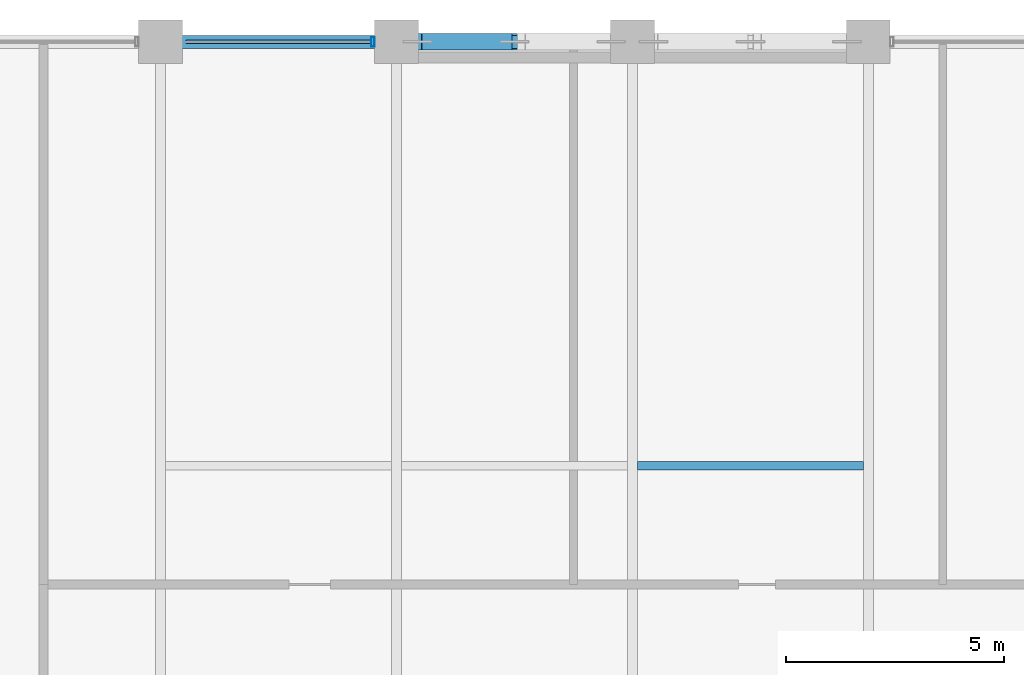
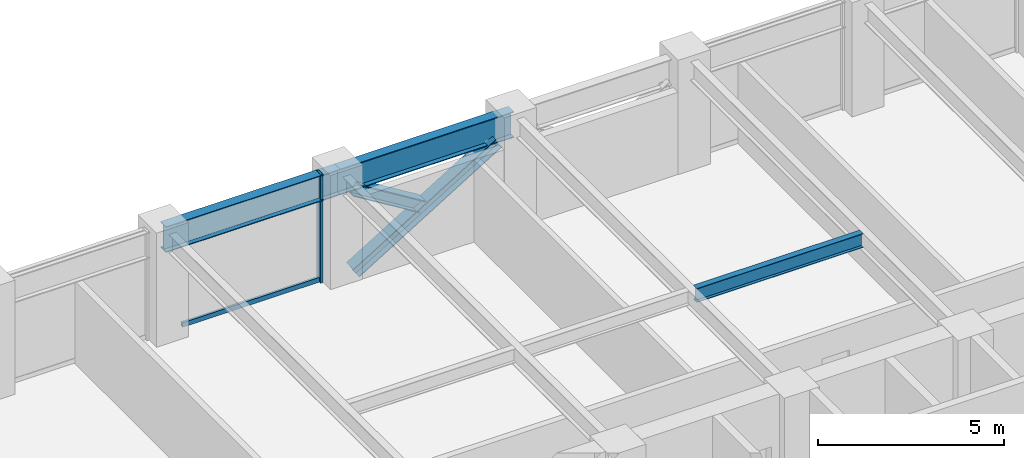
# One storey, part 13 of 25: 4 members, 3 beams, 1 element without a shape of its own.
"""IFC4 building model written with IfcOpenShell, lengths in metres."""

import ifcopenshell
import ifcopenshell.guid

model = None  # the IFC model being written
_history = None  # IfcOwnerHistory: only IFC2X3 demands one
_inside = {}  # id of a spatial element -> (the spatial element, [elements in it])
_under = {}  # id of a project, library or spatial element -> (it, [spatial elements below it])
_declared = {}  # id of a project -> (the project, [libraries it declares])
_typed = {}  # id of a type object -> (the type object, [elements of that type])
_made_of = {}  # id of a material, layer set ... -> (it, [elements and type objects made of it])


def new_model(schema):
    """Start an empty IFC model of exactly this schema.

    Asked for "IFC4X3", IfcOpenShell would pick the latest addendum, in which some entities
    have other attributes; the version numbers below select the first issue.
    IFC2X3 requires an IfcOwnerHistory on every rooted entity: one is made here for all.
    """
    global model, _history
    if schema == "IFC4X3":
        model = ifcopenshell.file(schema_version=(4, 3, 0, 0))
    else:
        model = ifcopenshell.file(schema=schema)
    _inside.clear()
    _under.clear()
    _declared.clear()
    _typed.clear()
    _made_of.clear()
    _history = None
    if model.schema == "IFC2X3":
        org = make("IfcOrganization", Name="unknown")
        user = make(
            "IfcPersonAndOrganization",
            ThePerson=make("IfcPerson", FamilyName="unknown"),
            TheOrganization=org,
        )
        app = make(
            "IfcApplication",
            ApplicationDeveloper=org,
            Version="unknown",
            ApplicationFullName="unknown",
            ApplicationIdentifier="unknown",
        )
        _history = make(
            "IfcOwnerHistory",
            OwningUser=user,
            OwningApplication=app,
            ChangeAction="ADDED",
            CreationDate=0,
        )
    return model


def make(cls, **values):
    """One entity of the class cls with the attributes given. An attribute that is None is left unset."""
    return model.create_entity(
        cls, **{name: value for name, value in values.items() if value is not None}
    )


def rooted(cls, **values):
    """An entity with a GlobalId (a new one), such as an element, a storey or a relation."""
    return make(cls, GlobalId=ifcopenshell.guid.new(), OwnerHistory=_history, **values)


def si_unit(unit_type, name, prefix=None):
    """IfcSIUnit, for example si_unit("LENGTHUNIT", "METRE", prefix="MILLI")."""
    return make("IfcSIUnit", UnitType=unit_type, Prefix=prefix, Name=name)


def assignment(units):
    """IfcUnitAssignment: the units of a project."""
    return None if units is None else make("IfcUnitAssignment", Units=units)


def point(xyz):
    """IfcCartesianPoint."""
    return None if xyz is None else make("IfcCartesianPoint", Coordinates=xyz)


def direction(xyz):
    """IfcDirection."""
    return None if xyz is None else make("IfcDirection", DirectionRatios=xyz)


def frame(location, z_axis=None, x_axis=None):
    """IfcAxis2Placement3D, a coordinate frame: its origin and axes. An axis left out is left unset."""
    return make(
        "IfcAxis2Placement3D",
        Location=point(location),
        Axis=direction(z_axis),
        RefDirection=direction(x_axis),
    )


def frame_2d(location, x_axis=None):
    """IfcAxis2Placement2D, a coordinate frame in the plane: its origin and x axis."""
    return make(
        "IfcAxis2Placement2D", Location=point(location), RefDirection=direction(x_axis)
    )


def origin():
    """The frame at (0, 0, 0) with its axes left unset."""
    return frame((0.0, 0.0, 0.0))


def origin_2d():
    """The frame at (0, 0) in the plane with its x axis left unset."""
    return frame_2d((0.0, 0.0))


def place(relative_to, where):
    """IfcLocalPlacement: puts the frame where relative to a parent placement (None: the world)."""
    return make(
        "IfcLocalPlacement", PlacementRelTo=relative_to, RelativePlacement=where
    )


def context(
    kind, dimensions, precision=None, world=None, true_north=None, identifier=None
):
    """IfcGeometricRepresentationContext, for example the 3D "Model" context."""
    return make(
        "IfcGeometricRepresentationContext",
        ContextIdentifier=identifier,
        ContextType=kind,
        CoordinateSpaceDimension=dimensions,
        Precision=precision,
        WorldCoordinateSystem=world,
        TrueNorth=true_north,
    )


def subcontext(parent, identifier, kind, view, scale=None):
    """IfcGeometricRepresentationSubContext, for example "Body" below "Model"."""
    return make(
        "IfcGeometricRepresentationSubContext",
        ContextIdentifier=identifier,
        ContextType=kind,
        ParentContext=parent,
        TargetScale=scale,
        TargetView=view,
    )


def project(units=None, contexts=None):
    """IfcProject with its units and contexts."""
    return rooted(
        "IfcProject",
        Name="project",
        RepresentationContexts=contexts,
        UnitsInContext=assignment(units),
    )


def spatial(cls, under=None, at=None, **own):
    """A site, building, storey or space (cls), placed at a placement, below another one or the project."""
    s = rooted(cls, ObjectPlacement=at, **own)
    if under is not None:
        _under.setdefault(under.id(), (under, []))[1].append(s)
    return s


def profile(cls, at=None, kind="AREA", **sizes):
    """A parametric profile (cls). Its sizes go by their IFC names, for example OverallWidth=200.0."""
    return make(cls, ProfileType=kind, Position=at, **sizes)


def hollow_rectangle(**sizes):
    """IfcRectangleHollowProfileDef."""
    return profile("IfcRectangleHollowProfileDef", **sizes)


def i_section(**sizes):
    """IfcIShapeProfileDef."""
    return profile("IfcIShapeProfileDef", **sizes)


def extrude(swept, where, along, depth):
    """IfcExtrudedAreaSolid: the profile swept, set in the frame where, extruded along a direction by depth."""
    return make(
        "IfcExtrudedAreaSolid",
        SweptArea=swept,
        Position=where,
        ExtrudedDirection=direction(along),
        Depth=depth,
    )


def shape(context_of_items, identifier, shape_type, items):
    """IfcShapeRepresentation: the items that make up one representation, for example the "Body"."""
    return make(
        "IfcShapeRepresentation",
        ContextOfItems=context_of_items,
        RepresentationIdentifier=identifier,
        RepresentationType=shape_type,
        Items=items,
    )


def material(Name=None, Category=None):
    """IfcMaterial."""
    return make("IfcMaterial", Name=Name, Category=Category)


def layer(
    of_material, thickness, ventilated=None, Name=None, Category=None, Priority=None
):
    """IfcMaterialLayer: one layer of a wall or slab, of a material (None: an air gap)."""
    return make(
        "IfcMaterialLayer",
        Material=of_material,
        LayerThickness=thickness,
        IsVentilated=ventilated,
        Name=Name,
        Category=Category,
        Priority=Priority,
    )


def layer_set(layers, Name=None):
    """IfcMaterialLayerSet."""
    return make("IfcMaterialLayerSet", MaterialLayers=layers, LayerSetName=Name)


def material_profile(
    of_material, cross_section, Name=None, Category=None, Priority=None
):
    """IfcMaterialProfile: a cross section and its material."""
    return make(
        "IfcMaterialProfile",
        Name=Name,
        Material=of_material,
        Profile=cross_section,
        Priority=Priority,
        Category=Category,
    )


def profile_set(profiles, Name=None, composite=None):
    """IfcMaterialProfileSet."""
    return make(
        "IfcMaterialProfileSet",
        Name=Name,
        MaterialProfiles=profiles,
        CompositeProfile=composite,
    )


def made_of(thing, what):
    """Note that an element or type object is made of a material, layer set ...; save() writes the relation."""
    if what is not None:
        _made_of.setdefault(what.id(), (what, []))[1].append(thing)
    return thing


def type_object(cls, material=None, **own):
    """A type object (cls), such as IfcWallType, which elements share."""
    return made_of(rooted(cls, **own), material)


def element(
    cls,
    number,
    at=None,
    inside=None,
    cuts=None,
    type_object=None,
    material=None,
    context=None,
    identifier="Body",
    shape_type=None,
    held_by="IfcProductDefinitionShape",
    body=None,
    shapes=None,
    **own,
):
    """One element of the class cls, such as IfcWall. Its Tag is "e" and its number.

    at: its placement. inside: the storey or other place that contains it. cuts: it is an
    opening in that element (IfcRelVoidsElement). A single representation is given by context,
    identifier, shape_type and body (its items); several are given by shapes. held_by: the class
    of the entity that holds the representations. save() writes the other relations.
    """
    e = rooted(cls, Tag="e%d" % number, ObjectPlacement=at, **own)
    if body is not None:
        shapes = [shape(context, identifier, shape_type, body)]
    if shapes is not None:
        e.Representation = make(held_by, Representations=shapes)
    if inside is not None:
        _inside.setdefault(inside.id(), (inside, []))[1].append(e)
    if cuts is not None:
        rooted(
            "IfcRelVoidsElement", RelatingBuildingElement=cuts, RelatedOpeningElement=e
        )
    if type_object is not None:
        _typed.setdefault(type_object.id(), (type_object, []))[1].append(e)
    return made_of(e, material)


def aggregate(whole, parts):
    """IfcRelAggregates: a whole, such as a stair, and the parts it consists of."""
    return rooted("IfcRelAggregates", RelatingObject=whole, RelatedObjects=parts)


def save(model, path):
    """Write the relations noted so far, then the file.

    IfcRelAggregates (storeys below a building ...), IfcRelContainedInSpatialStructure (elements
    in a storey), IfcRelDefinesByType, IfcRelAssociatesMaterial and IfcRelDeclares: one each for
    every whole, place, type object, material and project.
    """
    for whole, parts in _under.values():
        aggregate(whole, parts)
    for where, things in _inside.values():
        rooted(
            "IfcRelContainedInSpatialStructure",
            RelatedElements=things,
            RelatingStructure=where,
        )
    for kind, things in _typed.values():
        rooted("IfcRelDefinesByType", RelatedObjects=things, RelatingType=kind)
    for what, things in _made_of.values():
        rooted("IfcRelAssociatesMaterial", RelatedObjects=things, RelatingMaterial=what)
    for by, libraries in _declared.values():
        rooted("IfcRelDeclares", RelatingContext=by, RelatedDefinitions=libraries)
    model.write(path)


model = new_model("IFC4")

# Units and contexts
model_context = context("Model", 3, precision=1e-05, world=origin(), true_north=direction((0.0, 1.0)))
body_context = subcontext(model_context, "Body", "Model", "MODEL_VIEW")
ifc_project = project(units=[si_unit("LENGTHUNIT", "METRE"), si_unit("AREAUNIT", "SQUARE_METRE"), si_unit("VOLUMEUNIT", "CUBIC_METRE"), si_unit("PLANEANGLEUNIT", "RADIAN"), si_unit("MASSUNIT", "GRAM", prefix="KILO")], contexts=[model_context])

# Site, building, storey
site_placement = place(None, origin())
site = spatial("IfcSite", under=ifc_project, at=site_placement, CompositionType="ELEMENT")
building_placement = place(site_placement, origin())
building = spatial("IfcBuilding", under=site, at=building_placement, Name="Surkhivell Harbour Commons", CompositionType="ELEMENT")
storey_placement = place(building_placement, frame((0.0, 0.0, 139.5)))
storey = spatial("IfcBuildingStorey", under=building, at=storey_placement, Name="L36", CompositionType="ELEMENT", Elevation=139.5)

# Beams
ifc_material_1 = material(Name="Steel S355", Category="steel")
ifc_material_profile_1 = material_profile(ifc_material_1, i_section(OverallWidth=0.18994140625, OverallDepth=0.45703125, WebThickness=0.009033203125, FlangeThickness=0.014404296875, at=origin_2d()), Name="UB457x191x74")
ifc_profile_set_1 = profile_set([ifc_material_profile_1], Name="Steel S355")
beam_type_1 = type_object("IfcBeamType", Name="BM-JST-457B", PredefinedType="JOIST", material=ifc_profile_set_1)
beam_1_placement = place(storey_placement, frame((0.113037109375, 16.199951171875, 3.341552734375), z_axis=(1.0, 0.0, 0.0), x_axis=(0.0, 1.0, 0.0)))
element("IfcBeam", 1, at=beam_1_placement, inside=storey, type_object=beam_type_1, Name="L36 North Composite Joist (0.0)", PredefinedType="JOIST", context=body_context, shape_type="SweptSolid", body=[
    extrude(i_section(OverallWidth=0.18994140625, OverallDepth=0.45703125, WebThickness=0.009033203125, FlangeThickness=0.014404296875, at=origin_2d()), origin(), (0.0, 0.0, 1.0), 5.174072265625),
])
ifc_material_2 = material(Name="Steel S460", Category="steel")
ifc_material_profile_2 = material_profile(ifc_material_2, i_section(OverallWidth=0.2939453125, OverallDepth=0.85107421875, WebThickness=0.01611328125, FlangeThickness=0.02685546875, at=origin_2d()), Name="UB838x292x226")
ifc_profile_set_2 = profile_set([ifc_material_profile_2], Name="Steel S460")
beam_type_2 = type_object("IfcBeamType", Name="BM-SPN-838", PredefinedType="SPANDREL", material=ifc_profile_set_2)
beam_2_placement = place(storey_placement, frame((-10.800048828125, 25.89990234375, 3.14453125), z_axis=(1.0, 0.0, 0.0), x_axis=(0.0, 1.0, 0.0)))
element("IfcBeam", 2, at=beam_2_placement, inside=storey, type_object=beam_type_2, Name="L36 Tube Spandrel (-10.8,25.9)", PredefinedType="SPANDREL", context=body_context, shape_type="SweptSolid", body=[
    extrude(i_section(OverallWidth=0.2939453125, OverallDepth=0.85107421875, WebThickness=0.01611328125, FlangeThickness=0.02685546875, at=origin_2d()), origin(), (0.0, 0.0, 1.0), 5.400146484375),
])
beam_3_placement = place(storey_placement, frame((-5.39990234375, 25.89990234375, 3.14453125), z_axis=(1.0, 0.0, 0.0), x_axis=(0.0, 1.0, 0.0)))
element("IfcBeam", 3, at=beam_3_placement, inside=storey, type_object=beam_type_2, Name="L36 Tube Spandrel (-5.4,25.9)", PredefinedType="SPANDREL", context=body_context, shape_type="SweptSolid", body=[
    extrude(i_section(OverallWidth=0.2939453125, OverallDepth=0.85107421875, WebThickness=0.01611328125, FlangeThickness=0.02685546875, at=origin_2d()), origin(), (0.0, 0.0, 1.0), 5.39990234375),
])

# Curtain wall, members
ifc_material_3 = material(Name="Anodised pale-metal aluminium and insulated glazing", Category="aluminium")
ifc_layer = layer(ifc_material_3, 0.205078125)
ifc_layer_set = layer_set([ifc_layer], Name="Anodised pale-metal aluminium and insulated glazing")
curtain_wall_type = type_object("IfcCurtainWallType", Name="CW-SYS-Z2", PredefinedType="NOTDEFINED", material=ifc_layer_set)
curtain_wall_placement = place(storey_placement, origin())
curtain_wall = element("IfcCurtainWall", 4, at=curtain_wall_placement, inside=storey, type_object=curtain_wall_type, Name="L36 Curtain Wall CW-L36-E07S2", PredefinedType="NOTDEFINED")
ifc_material_4 = material(Name="Anodised pale-metal aluminium alloy 6063-T6", Category="aluminium")
ifc_material_profile_3 = material_profile(ifc_material_4, hollow_rectangle(XDim=0.074951171875, YDim=0.219970703125, WallThickness=0.00390625, at=origin_2d()), Name="ALU-MULL-75x220")
ifc_profile_set_3 = profile_set([ifc_material_profile_3], Name="Anodised pale-metal aluminium alloy 6063-T6")
member_type_1 = type_object("IfcMemberType", Name="CWM-220", PredefinedType="MULLION", material=ifc_profile_set_3)
member_1_placement = place(storey_placement, frame((-5.939453125, 25.89990234375, 0.0), z_axis=(0.0, 0.0, 1.0), x_axis=(-1.0, 0.0, 0.0)))
member_1 = element("IfcMember", 5, at=member_1_placement, type_object=member_type_1, Name="CW-Z2 mullion 1", PredefinedType="MULLION", context=body_context, shape_type="SweptSolid", body=[
    extrude(hollow_rectangle(XDim=0.074951171875, YDim=0.219970703125, WallThickness=0.00390625, at=origin_2d()), origin(), (0.0, 0.0, 1.0), 3.570068359375),
])
ifc_material_profile_4 = material_profile(ifc_material_4, hollow_rectangle(XDim=0.074951171875, YDim=0.14990234375, WallThickness=0.00341796875, at=origin_2d()), Name="ALU-TRAN-75x150")
ifc_profile_set_4 = profile_set([ifc_material_profile_4], Name="Anodised pale-metal aluminium alloy 6063-T6")
member_type_2 = type_object("IfcMemberType", Name="CWT-150", PredefinedType="USERDEFINED", material=ifc_profile_set_4)
member_2_placement = place(storey_placement, frame((-5.97705078125, 25.89990234375, 0.074951171875), z_axis=(-1.0, 0.0, 0.0), x_axis=(0.0, -1.0, 0.0)))
member_2 = element("IfcMember", 6, at=member_2_placement, type_object=member_type_2, Name="CW-Z2 transom 1.1", ObjectType="TRANSOM", PredefinedType="USERDEFINED", context=body_context, shape_type="SweptSolid", body=[
    extrude(hollow_rectangle(XDim=0.074951171875, YDim=0.14990234375, WallThickness=0.00341796875, at=origin_2d()), origin(), (0.0, 0.0, 1.0), 4.245849609375),
])
aggregate(curtain_wall, [member_1, member_2])

# Members
ifc_material_profile_5 = material_profile(ifc_material_2, i_section(OverallWidth=0.375, OverallDepth=0.375, WebThickness=0.0166015625, FlangeThickness=0.027099609375, at=origin_2d()), Name="UC356x368x202")
ifc_profile_set_5 = profile_set([ifc_material_profile_5], Name="Steel S460")
member_type_3 = type_object("IfcMemberType", Name="MEM-BRC-UC356", PredefinedType="BRACE", material=ifc_profile_set_5)
member_3_placement = place(storey_placement, frame((-4.9150390625, 25.89990234375, 0.008056640625), z_axis=(0.852624888477, 0.0, 0.522523491864), x_axis=(0.0, 1.0, 0.0)))
element("IfcMember", 7, at=member_3_placement, inside=storey, type_object=member_type_3, Name="L36 Perimeter Mega-Brace MB- 01", PredefinedType="BRACE", context=body_context, shape_type="SweptSolid", body=[
    extrude(i_section(OverallWidth=0.375, OverallDepth=0.375, WebThickness=0.0166015625, FlangeThickness=0.027099609375, at=origin_2d()), origin(), (0.0, 0.0, 1.0), 5.195556640625),
])
member_4_placement = place(storey_placement, frame((-2.853515625, 25.89990234375, 1.459716796875), z_axis=(-0.852662200332, 0.0, 0.522462603567), x_axis=(0.0, -1.0, 0.0)))
element("IfcMember", 8, at=member_4_placement, inside=storey, type_object=member_type_3, Name="L36 Perimeter Mega-Brace MB- 03", PredefinedType="BRACE", context=body_context, shape_type="SweptSolid", body=[
    extrude(i_section(OverallWidth=0.375, OverallDepth=0.375, WebThickness=0.0166015625, FlangeThickness=0.027099609375, at=origin_2d()), origin(), (0.0, 0.0, 1.0), 2.417724609375),
])

save(model, "model.ifc")
